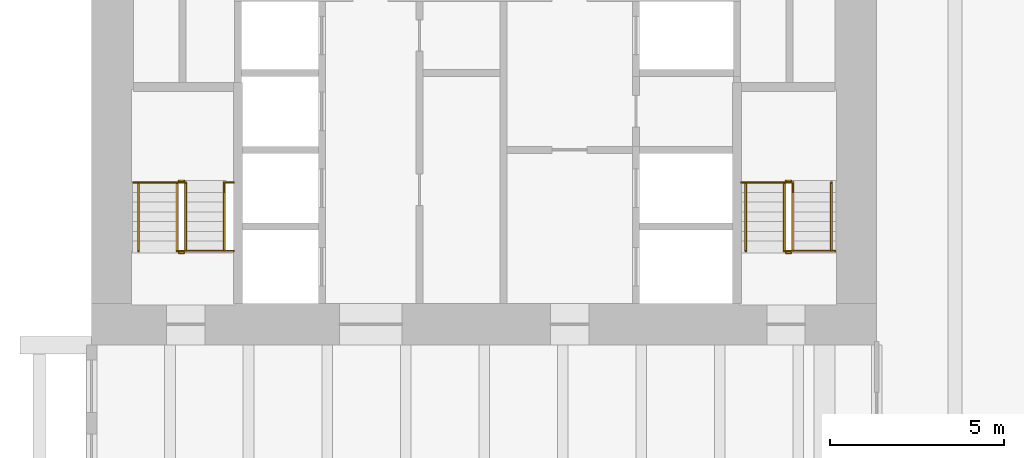
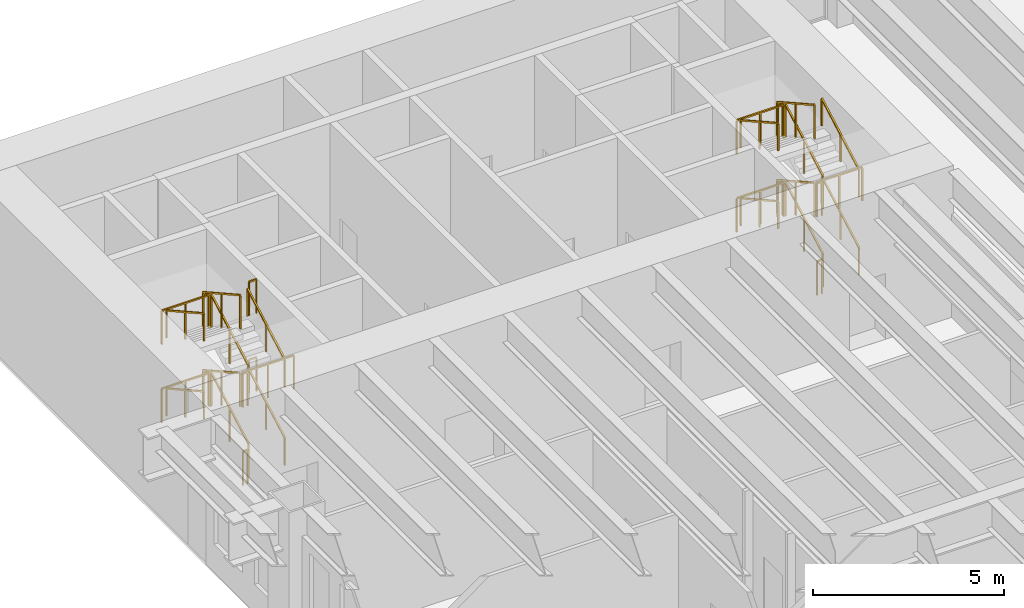
# One storey, part 21 of 21: 32 railings.
"""IFC4 building model written with IfcOpenShell, lengths in metres."""

from ifc_helpers import new_model, si_unit, direction, frame, origin, origin_2d, place, context, subcontext, project, spatial, rectangle, extrude, material, type_object, element, save


model = new_model("IFC4")

# Units and contexts
model_context = context("Model", 3, precision=1e-05, world=origin(), true_north=direction((0.0, 1.0)))
body_context = subcontext(model_context, "Body", "Model", "MODEL_VIEW")
ifc_project = project(units=[si_unit("LENGTHUNIT", "METRE"), si_unit("AREAUNIT", "SQUARE_METRE"), si_unit("VOLUMEUNIT", "CUBIC_METRE"), si_unit("PLANEANGLEUNIT", "RADIAN"), si_unit("MASSUNIT", "GRAM", prefix="KILO")], contexts=[model_context])

# Site, building, storey
site_placement = place(None, origin())
site = spatial("IfcSite", under=ifc_project, at=site_placement, CompositionType="ELEMENT")
building_placement = place(site_placement, origin())
building = spatial("IfcBuilding", under=site, at=building_placement, Name="Sennacour Bend Tower", CompositionType="ELEMENT")
storey_placement = place(building_placement, frame((0.0, 0.0, 24.0)))
storey = spatial("IfcBuildingStorey", under=building, at=storey_placement, Name="L04", CompositionType="ELEMENT", Elevation=24.0)

# Railings
ifc_material = material(Name="Stainless steel", Category="steel")
railing_type_1 = type_object("IfcRailingType", Name="RL-GUARD-1100", PredefinedType="GUARDRAIL", material=ifc_material)
railing_1_placement = place(storey_placement, frame((2.699951171875, 38.699951171875, 0.15625)))
element("IfcRailing", 1, at=railing_1_placement, inside=storey, type_object=railing_type_1, Name="L04 SB1 stair guard 1", PredefinedType="GUARDRAIL", context=body_context, shape_type="SweptSolid", body=[
    extrude(rectangle(XDim=0.048095703125, YDim=0.048095703125, at=origin_2d()), frame((0.0, 0.0, 1.076171875), z_axis=(0.0, 0.873232148454, 0.487304437602), x_axis=(-1.0, 0.0, 0.0)), (0.0, 0.0, 1.0), 2.244384765625),
    extrude(rectangle(XDim=0.0419921875, YDim=0.0419921875, at=origin_2d()), origin(), (0.0, 0.0, 1.0), 1.052001953125),
    extrude(rectangle(XDim=0.0419921875, YDim=0.0419921875, at=origin_2d()), frame((0.0, 0.97998046875, 0.546875)), (0.0, 0.0, 1.0), 1.052001953125),
    extrude(rectangle(XDim=0.0419921875, YDim=0.0419921875, at=origin_2d()), frame((0.0, 1.9599609375, 1.09375)), (0.0, 0.0, 1.0), 1.052001953125),
])
railing_2_placement = place(storey_placement, frame((2.64990234375, 40.7099609375, 1.25)))
element("IfcRailing", 2, at=railing_2_placement, inside=storey, type_object=railing_type_1, Name="L04 SB1 stair guard 2", PredefinedType="GUARDRAIL", context=body_context, shape_type="SweptSolid", body=[
    extrude(rectangle(XDim=0.048095703125, YDim=0.048095703125, at=origin_2d()), frame((0.0, 0.0, 1.076171875), z_axis=(-1.0, 0.0, 0.0), x_axis=(0.0, -1.0, 0.0)), (0.0, 0.0, 1.0), 0.14990234375),
    extrude(rectangle(XDim=0.0419921875, YDim=0.0419921875, at=origin_2d()), origin(), (0.0, 0.0, 1.0), 1.052001953125),
    extrude(rectangle(XDim=0.0419921875, YDim=0.0419921875, at=origin_2d()), frame((-0.14990234375, 0.0, 0.0)), (0.0, 0.0, 1.0), 1.052001953125),
])
railing_3_placement = place(storey_placement, frame((2.449951171875, 40.659912109375, 1.40625)))
element("IfcRailing", 3, at=railing_3_placement, inside=storey, type_object=railing_type_1, Name="L04 SB1 stair guard 4", PredefinedType="GUARDRAIL", context=body_context, shape_type="SweptSolid", body=[
    extrude(rectangle(XDim=0.048095703125, YDim=0.048095703125, at=origin_2d()), frame((0.0, 0.0, 1.076171875), z_axis=(0.0, -0.873232148454, 0.487304437602), x_axis=(1.0, 0.0, 0.0)), (0.0, 0.0, 1.0), 2.244384765625),
    extrude(rectangle(XDim=0.0419921875, YDim=0.0419921875, at=origin_2d()), origin(), (0.0, 0.0, 1.0), 1.052001953125),
    extrude(rectangle(XDim=0.0419921875, YDim=0.0419921875, at=origin_2d()), frame((0.0, -0.97998046875, 0.546875)), (0.0, 0.0, 1.0), 1.052001953125),
    extrude(rectangle(XDim=0.0419921875, YDim=0.0419921875, at=origin_2d()), frame((0.0, -1.9599609375, 1.09375)), (0.0, 0.0, 1.0), 1.052001953125),
])
railing_4_placement = place(storey_placement, frame((2.64990234375, 38.64990234375, 2.5)))
element("IfcRailing", 4, at=railing_4_placement, inside=storey, type_object=railing_type_1, Name="L04 SB1 stair guard 5", PredefinedType="GUARDRAIL", context=body_context, shape_type="SweptSolid", body=[
    extrude(rectangle(XDim=0.048095703125, YDim=0.048095703125, at=origin_2d()), frame((0.0, 0.0, 1.076171875), z_axis=(-1.0, 0.0, 0.0), x_axis=(0.0, -1.0, 0.0)), (0.0, 0.0, 1.0), 0.14990234375),
    extrude(rectangle(XDim=0.0419921875, YDim=0.0419921875, at=origin_2d()), origin(), (0.0, 0.0, 1.0), 1.052001953125),
    extrude(rectangle(XDim=0.0419921875, YDim=0.0419921875, at=origin_2d()), frame((-0.14990234375, 0.0, 0.0)), (0.0, 0.0, 1.0), 1.052001953125),
])
railing_5_placement = place(storey_placement, frame((2.699951171875, 38.699951171875, 2.65625)))
element("IfcRailing", 5, at=railing_5_placement, inside=storey, type_object=railing_type_1, Name="L04 SB1 stair guard 8", PredefinedType="GUARDRAIL", context=body_context, shape_type="SweptSolid", body=[
    extrude(rectangle(XDim=0.048095703125, YDim=0.048095703125, at=origin_2d()), frame((0.0, 0.0, 1.076171875), z_axis=(0.0, 0.873232148454, 0.487304437602), x_axis=(-1.0, 0.0, 0.0)), (0.0, 0.0, 1.0), 2.244384765625),
    extrude(rectangle(XDim=0.0419921875, YDim=0.0419921875, at=origin_2d()), origin(), (0.0, 0.0, 1.0), 1.052001953125),
    extrude(rectangle(XDim=0.0419921875, YDim=0.0419921875, at=origin_2d()), frame((0.0, 0.97998046875, 0.546875)), (0.0, 0.0, 1.0), 1.052001953125),
    extrude(rectangle(XDim=0.0419921875, YDim=0.0419921875, at=origin_2d()), frame((0.0, 1.9599609375, 1.09375)), (0.0, 0.0, 1.0), 1.052001953125),
])
railing_6_placement = place(storey_placement, frame((2.64990234375, 40.7099609375, 3.75)))
element("IfcRailing", 6, at=railing_6_placement, inside=storey, type_object=railing_type_1, Name="L04 SB1 stair guard 9", PredefinedType="GUARDRAIL", context=body_context, shape_type="SweptSolid", body=[
    extrude(rectangle(XDim=0.048095703125, YDim=0.048095703125, at=origin_2d()), frame((0.0, 0.0, 1.076171875), z_axis=(-1.0, 0.0, 0.0), x_axis=(0.0, -1.0, 0.0)), (0.0, 0.0, 1.0), 0.14990234375),
    extrude(rectangle(XDim=0.0419921875, YDim=0.0419921875, at=origin_2d()), origin(), (0.0, 0.0, 1.0), 1.052001953125),
    extrude(rectangle(XDim=0.0419921875, YDim=0.0419921875, at=origin_2d()), frame((-0.14990234375, 0.0, 0.0)), (0.0, 0.0, 1.0), 1.052001953125),
])
railing_7_placement = place(storey_placement, frame((2.449951171875, 40.659912109375, 3.90625)))
element("IfcRailing", 7, at=railing_7_placement, inside=storey, type_object=railing_type_1, Name="L04 SB1 stair guard 11", PredefinedType="GUARDRAIL", context=body_context, shape_type="SweptSolid", body=[
    extrude(rectangle(XDim=0.048095703125, YDim=0.048095703125, at=origin_2d()), frame((0.0, 0.0, 1.076171875), z_axis=(0.0, -0.873232148454, 0.487304437602), x_axis=(1.0, 0.0, 0.0)), (0.0, 0.0, 1.0), 2.244384765625),
    extrude(rectangle(XDim=0.0419921875, YDim=0.0419921875, at=origin_2d()), origin(), (0.0, 0.0, 1.0), 1.052001953125),
    extrude(rectangle(XDim=0.0419921875, YDim=0.0419921875, at=origin_2d()), frame((0.0, -0.97998046875, 0.546875)), (0.0, 0.0, 1.0), 1.052001953125),
    extrude(rectangle(XDim=0.0419921875, YDim=0.0419921875, at=origin_2d()), frame((0.0, -1.9599609375, 1.09375)), (0.0, 0.0, 1.0), 1.052001953125),
])
railing_8_placement = place(storey_placement, frame((2.64990234375, 38.64990234375, 0.0)))
element("IfcRailing", 8, at=railing_8_placement, inside=storey, type_object=railing_type_1, Name="L04 SB1 stair guard 12", PredefinedType="GUARDRAIL", context=body_context, shape_type="SweptSolid", body=[
    extrude(rectangle(XDim=0.048095703125, YDim=0.048095703125, at=origin_2d()), frame((0.0, 0.0, 1.076171875), z_axis=(-1.0, 0.0, 0.0), x_axis=(0.0, -1.0, 0.0)), (0.0, 0.0, 1.0), 0.14990234375),
    extrude(rectangle(XDim=0.0419921875, YDim=0.0419921875, at=origin_2d()), origin(), (0.0, 0.0, 1.0), 1.052001953125),
    extrude(rectangle(XDim=0.0419921875, YDim=0.0419921875, at=origin_2d()), frame((-0.14990234375, 0.0, 0.0)), (0.0, 0.0, 1.0), 1.052001953125),
])
railing_9_placement = place(storey_placement, frame((4.074951171875, 40.659912109375, 1.25)))
element("IfcRailing", 9, at=railing_9_placement, inside=storey, type_object=railing_type_1, Name="L04 SB1 landing edge guard 19", PredefinedType="GUARDRAIL", context=body_context, shape_type="SweptSolid", body=[
    extrude(rectangle(XDim=0.048095703125, YDim=0.048095703125, at=origin_2d()), frame((0.0, 0.0, 1.076171875), z_axis=(-1.0, 0.0, 0.0), x_axis=(0.0, -1.0, 0.0)), (0.0, 0.0, 1.0), 0.224853515625),
    extrude(rectangle(XDim=0.0419921875, YDim=0.0419921875, at=origin_2d()), origin(), (0.0, 0.0, 1.0), 1.052001953125),
    extrude(rectangle(XDim=0.0419921875, YDim=0.0419921875, at=origin_2d()), frame((-0.224853515625, 0.0, 0.0)), (0.0, 0.0, 1.0), 1.052001953125),
])
railing_10_placement = place(storey_placement, frame((2.64990234375, 40.659912109375, 1.25)))
element("IfcRailing", 10, at=railing_10_placement, inside=storey, type_object=railing_type_1, Name="L04 SB1 landing edge guard 20", PredefinedType="GUARDRAIL", context=body_context, shape_type="SweptSolid", body=[
    extrude(rectangle(XDim=0.048095703125, YDim=0.048095703125, at=origin_2d()), frame((0.0, 0.0, 1.076171875), z_axis=(-1.0, 0.0, 0.0), x_axis=(0.0, -1.0, 0.0)), (0.0, 0.0, 1.0), 1.449951171875),
    extrude(rectangle(XDim=0.0419921875, YDim=0.0419921875, at=origin_2d()), origin(), (0.0, 0.0, 1.0), 1.052001953125),
    extrude(rectangle(XDim=0.0419921875, YDim=0.0419921875, at=origin_2d()), frame((-0.72509765625, 0.0, 0.0)), (0.0, 0.0, 1.0), 1.052001953125),
    extrude(rectangle(XDim=0.0419921875, YDim=0.0419921875, at=origin_2d()), frame((-1.449951171875, 0.0, 0.0)), (0.0, 0.0, 1.0), 1.052001953125),
])
railing_11_placement = place(storey_placement, frame((2.5, 38.699951171875, 2.5)))
element("IfcRailing", 11, at=railing_11_placement, inside=storey, type_object=railing_type_1, Name="L04 SB1 landing edge guard 21", PredefinedType="GUARDRAIL", context=body_context, shape_type="SweptSolid", body=[
    extrude(rectangle(XDim=0.048095703125, YDim=0.048095703125, at=origin_2d()), frame((0.0, 0.0, 1.076171875), z_axis=(1.0, 0.0, 0.0), x_axis=(0.0, 1.0, 0.0)), (0.0, 0.0, 1.0), 1.574951171875),
    extrude(rectangle(XDim=0.0419921875, YDim=0.0419921875, at=origin_2d()), origin(), (0.0, 0.0, 1.0), 1.052001953125),
    extrude(rectangle(XDim=0.0419921875, YDim=0.0419921875, at=origin_2d()), frame((0.78759765625, 0.0, 0.0)), (0.0, 0.0, 1.0), 1.052001953125),
    extrude(rectangle(XDim=0.0419921875, YDim=0.0419921875, at=origin_2d()), frame((1.574951171875, 0.0, 0.0)), (0.0, 0.0, 1.0), 1.052001953125),
])
railing_12_placement = place(storey_placement, frame((4.074951171875, 40.659912109375, 3.75)))
element("IfcRailing", 12, at=railing_12_placement, inside=storey, type_object=railing_type_1, Name="L04 SB1 landing edge guard 22", PredefinedType="GUARDRAIL", context=body_context, shape_type="SweptSolid", body=[
    extrude(rectangle(XDim=0.048095703125, YDim=0.048095703125, at=origin_2d()), frame((0.0, 0.0, 1.076171875), z_axis=(-1.0, 0.0, 0.0), x_axis=(0.0, -1.0, 0.0)), (0.0, 0.0, 1.0), 0.224853515625),
    extrude(rectangle(XDim=0.0419921875, YDim=0.0419921875, at=origin_2d()), origin(), (0.0, 0.0, 1.0), 1.052001953125),
    extrude(rectangle(XDim=0.0419921875, YDim=0.0419921875, at=origin_2d()), frame((-0.224853515625, 0.0, 0.0)), (0.0, 0.0, 1.0), 1.052001953125),
])
railing_13_placement = place(storey_placement, frame((2.64990234375, 40.659912109375, 3.75)))
element("IfcRailing", 13, at=railing_13_placement, inside=storey, type_object=railing_type_1, Name="L04 SB1 landing edge guard 23", PredefinedType="GUARDRAIL", context=body_context, shape_type="SweptSolid", body=[
    extrude(rectangle(XDim=0.048095703125, YDim=0.048095703125, at=origin_2d()), frame((0.0, 0.0, 1.076171875), z_axis=(-1.0, 0.0, 0.0), x_axis=(0.0, -1.0, 0.0)), (0.0, 0.0, 1.0), 1.449951171875),
    extrude(rectangle(XDim=0.0419921875, YDim=0.0419921875, at=origin_2d()), origin(), (0.0, 0.0, 1.0), 1.052001953125),
    extrude(rectangle(XDim=0.0419921875, YDim=0.0419921875, at=origin_2d()), frame((-0.72509765625, 0.0, 0.0)), (0.0, 0.0, 1.0), 1.052001953125),
    extrude(rectangle(XDim=0.0419921875, YDim=0.0419921875, at=origin_2d()), frame((-1.449951171875, 0.0, 0.0)), (0.0, 0.0, 1.0), 1.052001953125),
])
railing_14_placement = place(storey_placement, frame((20.10009765625, 38.699951171875, 0.15625)))
element("IfcRailing", 14, at=railing_14_placement, inside=storey, type_object=railing_type_1, Name="L04 SB2 stair guard 1", PredefinedType="GUARDRAIL", context=body_context, shape_type="SweptSolid", body=[
    extrude(rectangle(XDim=0.048095703125, YDim=0.048095703125, at=origin_2d()), frame((0.0, 0.0, 1.076171875), z_axis=(0.0, 0.873232148454, 0.487304437602), x_axis=(-1.0, 0.0, 0.0)), (0.0, 0.0, 1.0), 2.244384765625),
    extrude(rectangle(XDim=0.0419921875, YDim=0.0419921875, at=origin_2d()), origin(), (0.0, 0.0, 1.0), 1.052001953125),
    extrude(rectangle(XDim=0.0419921875, YDim=0.0419921875, at=origin_2d()), frame((0.0, 0.97998046875, 0.546875)), (0.0, 0.0, 1.0), 1.052001953125),
    extrude(rectangle(XDim=0.0419921875, YDim=0.0419921875, at=origin_2d()), frame((0.0, 1.9599609375, 1.09375)), (0.0, 0.0, 1.0), 1.052001953125),
])
railing_15_placement = place(storey_placement, frame((20.050048828125, 40.7099609375, 1.25)))
element("IfcRailing", 15, at=railing_15_placement, inside=storey, type_object=railing_type_1, Name="L04 SB2 stair guard 2", PredefinedType="GUARDRAIL", context=body_context, shape_type="SweptSolid", body=[
    extrude(rectangle(XDim=0.048095703125, YDim=0.048095703125, at=origin_2d()), frame((0.0, 0.0, 1.076171875), z_axis=(-1.0, 0.0, 0.0), x_axis=(0.0, -1.0, 0.0)), (0.0, 0.0, 1.0), 0.150146484375),
    extrude(rectangle(XDim=0.0419921875, YDim=0.0419921875, at=origin_2d()), origin(), (0.0, 0.0, 1.0), 1.052001953125),
    extrude(rectangle(XDim=0.0419921875, YDim=0.0419921875, at=origin_2d()), frame((-0.150146484375, 0.0, 0.0)), (0.0, 0.0, 1.0), 1.052001953125),
])
railing_16_placement = place(storey_placement, frame((19.85009765625, 40.659912109375, 1.40625)))
element("IfcRailing", 16, at=railing_16_placement, inside=storey, type_object=railing_type_1, Name="L04 SB2 stair guard 4", PredefinedType="GUARDRAIL", context=body_context, shape_type="SweptSolid", body=[
    extrude(rectangle(XDim=0.048095703125, YDim=0.048095703125, at=origin_2d()), frame((0.0, 0.0, 1.076171875), z_axis=(0.0, -0.873232148454, 0.487304437602), x_axis=(1.0, 0.0, 0.0)), (0.0, 0.0, 1.0), 2.244384765625),
    extrude(rectangle(XDim=0.0419921875, YDim=0.0419921875, at=origin_2d()), origin(), (0.0, 0.0, 1.0), 1.052001953125),
    extrude(rectangle(XDim=0.0419921875, YDim=0.0419921875, at=origin_2d()), frame((0.0, -0.97998046875, 0.546875)), (0.0, 0.0, 1.0), 1.052001953125),
    extrude(rectangle(XDim=0.0419921875, YDim=0.0419921875, at=origin_2d()), frame((0.0, -1.9599609375, 1.09375)), (0.0, 0.0, 1.0), 1.052001953125),
])
railing_17_placement = place(storey_placement, frame((20.050048828125, 38.64990234375, 2.5)))
element("IfcRailing", 17, at=railing_17_placement, inside=storey, type_object=railing_type_1, Name="L04 SB2 stair guard 5", PredefinedType="GUARDRAIL", context=body_context, shape_type="SweptSolid", body=[
    extrude(rectangle(XDim=0.048095703125, YDim=0.048095703125, at=origin_2d()), frame((0.0, 0.0, 1.076171875), z_axis=(-1.0, 0.0, 0.0), x_axis=(0.0, -1.0, 0.0)), (0.0, 0.0, 1.0), 0.150146484375),
    extrude(rectangle(XDim=0.0419921875, YDim=0.0419921875, at=origin_2d()), origin(), (0.0, 0.0, 1.0), 1.052001953125),
    extrude(rectangle(XDim=0.0419921875, YDim=0.0419921875, at=origin_2d()), frame((-0.150146484375, 0.0, 0.0)), (0.0, 0.0, 1.0), 1.052001953125),
])
railing_18_placement = place(storey_placement, frame((20.10009765625, 38.699951171875, 2.65625)))
element("IfcRailing", 18, at=railing_18_placement, inside=storey, type_object=railing_type_1, Name="L04 SB2 stair guard 8", PredefinedType="GUARDRAIL", context=body_context, shape_type="SweptSolid", body=[
    extrude(rectangle(XDim=0.048095703125, YDim=0.048095703125, at=origin_2d()), frame((0.0, 0.0, 1.076171875), z_axis=(0.0, 0.873232148454, 0.487304437602), x_axis=(-1.0, 0.0, 0.0)), (0.0, 0.0, 1.0), 2.244384765625),
    extrude(rectangle(XDim=0.0419921875, YDim=0.0419921875, at=origin_2d()), origin(), (0.0, 0.0, 1.0), 1.052001953125),
    extrude(rectangle(XDim=0.0419921875, YDim=0.0419921875, at=origin_2d()), frame((0.0, 0.97998046875, 0.546875)), (0.0, 0.0, 1.0), 1.052001953125),
    extrude(rectangle(XDim=0.0419921875, YDim=0.0419921875, at=origin_2d()), frame((0.0, 1.9599609375, 1.09375)), (0.0, 0.0, 1.0), 1.052001953125),
])
railing_19_placement = place(storey_placement, frame((20.050048828125, 40.7099609375, 3.75)))
element("IfcRailing", 19, at=railing_19_placement, inside=storey, type_object=railing_type_1, Name="L04 SB2 stair guard 9", PredefinedType="GUARDRAIL", context=body_context, shape_type="SweptSolid", body=[
    extrude(rectangle(XDim=0.048095703125, YDim=0.048095703125, at=origin_2d()), frame((0.0, 0.0, 1.076171875), z_axis=(-1.0, 0.0, 0.0), x_axis=(0.0, -1.0, 0.0)), (0.0, 0.0, 1.0), 0.150146484375),
    extrude(rectangle(XDim=0.0419921875, YDim=0.0419921875, at=origin_2d()), origin(), (0.0, 0.0, 1.0), 1.052001953125),
    extrude(rectangle(XDim=0.0419921875, YDim=0.0419921875, at=origin_2d()), frame((-0.150146484375, 0.0, 0.0)), (0.0, 0.0, 1.0), 1.052001953125),
])
railing_20_placement = place(storey_placement, frame((19.85009765625, 40.659912109375, 3.90625)))
element("IfcRailing", 20, at=railing_20_placement, inside=storey, type_object=railing_type_1, Name="L04 SB2 stair guard 11", PredefinedType="GUARDRAIL", context=body_context, shape_type="SweptSolid", body=[
    extrude(rectangle(XDim=0.048095703125, YDim=0.048095703125, at=origin_2d()), frame((0.0, 0.0, 1.076171875), z_axis=(0.0, -0.873232148454, 0.487304437602), x_axis=(1.0, 0.0, 0.0)), (0.0, 0.0, 1.0), 2.244384765625),
    extrude(rectangle(XDim=0.0419921875, YDim=0.0419921875, at=origin_2d()), origin(), (0.0, 0.0, 1.0), 1.052001953125),
    extrude(rectangle(XDim=0.0419921875, YDim=0.0419921875, at=origin_2d()), frame((0.0, -0.97998046875, 0.546875)), (0.0, 0.0, 1.0), 1.052001953125),
    extrude(rectangle(XDim=0.0419921875, YDim=0.0419921875, at=origin_2d()), frame((0.0, -1.9599609375, 1.09375)), (0.0, 0.0, 1.0), 1.052001953125),
])
railing_21_placement = place(storey_placement, frame((20.050048828125, 38.64990234375, 0.0)))
element("IfcRailing", 21, at=railing_21_placement, inside=storey, type_object=railing_type_1, Name="L04 SB2 stair guard 12", PredefinedType="GUARDRAIL", context=body_context, shape_type="SweptSolid", body=[
    extrude(rectangle(XDim=0.048095703125, YDim=0.048095703125, at=origin_2d()), frame((0.0, 0.0, 1.076171875), z_axis=(-1.0, 0.0, 0.0), x_axis=(0.0, -1.0, 0.0)), (0.0, 0.0, 1.0), 0.150146484375),
    extrude(rectangle(XDim=0.0419921875, YDim=0.0419921875, at=origin_2d()), origin(), (0.0, 0.0, 1.0), 1.052001953125),
    extrude(rectangle(XDim=0.0419921875, YDim=0.0419921875, at=origin_2d()), frame((-0.150146484375, 0.0, 0.0)), (0.0, 0.0, 1.0), 1.052001953125),
])
railing_22_placement = place(storey_placement, frame((20.050048828125, 40.659912109375, 1.25)))
element("IfcRailing", 22, at=railing_22_placement, inside=storey, type_object=railing_type_1, Name="L04 SB2 landing edge guard 13", PredefinedType="GUARDRAIL", context=body_context, shape_type="SweptSolid", body=[
    extrude(rectangle(XDim=0.048095703125, YDim=0.048095703125, at=origin_2d()), frame((0.0, 0.0, 1.076171875), z_axis=(-1.0, 0.0, 0.0), x_axis=(0.0, -1.0, 0.0)), (0.0, 0.0, 1.0), 1.425048828125),
    extrude(rectangle(XDim=0.0419921875, YDim=0.0419921875, at=origin_2d()), origin(), (0.0, 0.0, 1.0), 1.052001953125),
    extrude(rectangle(XDim=0.0419921875, YDim=0.0419921875, at=origin_2d()), frame((-0.71240234375, 0.0, 0.0)), (0.0, 0.0, 1.0), 1.052001953125),
    extrude(rectangle(XDim=0.0419921875, YDim=0.0419921875, at=origin_2d()), frame((-1.425048828125, 0.0, 0.0)), (0.0, 0.0, 1.0), 1.052001953125),
])
railing_23_placement = place(storey_placement, frame((19.89990234375, 38.699951171875, 2.5)))
element("IfcRailing", 23, at=railing_23_placement, inside=storey, type_object=railing_type_1, Name="L04 SB2 landing edge guard 14", PredefinedType="GUARDRAIL", context=body_context, shape_type="SweptSolid", body=[
    extrude(rectangle(XDim=0.048095703125, YDim=0.048095703125, at=origin_2d()), frame((0.0, 0.0, 1.076171875), z_axis=(1.0, 0.0, 0.0), x_axis=(0.0, 1.0, 0.0)), (0.0, 0.0, 1.0), 1.400146484375),
    extrude(rectangle(XDim=0.0419921875, YDim=0.0419921875, at=origin_2d()), origin(), (0.0, 0.0, 1.0), 1.052001953125),
    extrude(rectangle(XDim=0.0419921875, YDim=0.0419921875, at=origin_2d()), frame((0.7001953125, 0.0, 0.0)), (0.0, 0.0, 1.0), 1.052001953125),
    extrude(rectangle(XDim=0.0419921875, YDim=0.0419921875, at=origin_2d()), frame((1.400146484375, 0.0, 0.0)), (0.0, 0.0, 1.0), 1.052001953125),
])
railing_24_placement = place(storey_placement, frame((20.050048828125, 40.659912109375, 3.75)))
element("IfcRailing", 24, at=railing_24_placement, inside=storey, type_object=railing_type_1, Name="L04 SB2 landing edge guard 15", PredefinedType="GUARDRAIL", context=body_context, shape_type="SweptSolid", body=[
    extrude(rectangle(XDim=0.048095703125, YDim=0.048095703125, at=origin_2d()), frame((0.0, 0.0, 1.076171875), z_axis=(-1.0, 0.0, 0.0), x_axis=(0.0, -1.0, 0.0)), (0.0, 0.0, 1.0), 1.425048828125),
    extrude(rectangle(XDim=0.0419921875, YDim=0.0419921875, at=origin_2d()), origin(), (0.0, 0.0, 1.0), 1.052001953125),
    extrude(rectangle(XDim=0.0419921875, YDim=0.0419921875, at=origin_2d()), frame((-0.71240234375, 0.0, 0.0)), (0.0, 0.0, 1.0), 1.052001953125),
    extrude(rectangle(XDim=0.0419921875, YDim=0.0419921875, at=origin_2d()), frame((-1.425048828125, 0.0, 0.0)), (0.0, 0.0, 1.0), 1.052001953125),
])
railing_type_2 = type_object("IfcRailingType", Name="RL-HANDRAIL-900", PredefinedType="HANDRAIL", material=ifc_material)
railing_25_placement = place(storey_placement, frame((3.800048828125, 38.699951171875, 0.15625)))
element("IfcRailing", 25, at=railing_25_placement, inside=storey, type_object=railing_type_2, Name="L04 SB1 stair handrail 1", PredefinedType="HANDRAIL", context=body_context, shape_type="SweptSolid", body=[
    extrude(rectangle(XDim=0.048095703125, YDim=0.048095703125, at=origin_2d()), frame((0.0, 0.0, 0.8759765625), z_axis=(0.0, 0.873232148454, 0.487304437602), x_axis=(-1.0, 0.0, 0.0)), (0.0, 0.0, 1.0), 2.244384765625),
    extrude(rectangle(XDim=0.0419921875, YDim=0.0419921875, at=origin_2d()), origin(), (0.0, 0.0, 1.0), 0.851806640625),
    extrude(rectangle(XDim=0.0419921875, YDim=0.0419921875, at=origin_2d()), frame((0.0, 0.97998046875, 0.546875)), (0.0, 0.0, 1.0), 0.851806640625),
    extrude(rectangle(XDim=0.0419921875, YDim=0.0419921875, at=origin_2d()), frame((0.0, 1.9599609375, 1.09375)), (0.0, 0.0, 1.0), 0.851806640625),
])
railing_26_placement = place(storey_placement, frame((1.35009765625, 40.659912109375, 1.40625)))
element("IfcRailing", 26, at=railing_26_placement, inside=storey, type_object=railing_type_2, Name="L04 SB1 stair handrail 2", PredefinedType="HANDRAIL", context=body_context, shape_type="SweptSolid", body=[
    extrude(rectangle(XDim=0.048095703125, YDim=0.048095703125, at=origin_2d()), frame((0.0, 0.0, 0.8759765625), z_axis=(0.0, -0.873232148454, 0.487304437602), x_axis=(1.0, 0.0, 0.0)), (0.0, 0.0, 1.0), 2.244384765625),
    extrude(rectangle(XDim=0.0419921875, YDim=0.0419921875, at=origin_2d()), origin(), (0.0, 0.0, 1.0), 0.851806640625),
    extrude(rectangle(XDim=0.0419921875, YDim=0.0419921875, at=origin_2d()), frame((0.0, -0.97998046875, 0.546875)), (0.0, 0.0, 1.0), 0.851806640625),
    extrude(rectangle(XDim=0.0419921875, YDim=0.0419921875, at=origin_2d()), frame((0.0, -1.9599609375, 1.09375)), (0.0, 0.0, 1.0), 0.851806640625),
])
railing_27_placement = place(storey_placement, frame((3.800048828125, 38.699951171875, 2.65625)))
element("IfcRailing", 27, at=railing_27_placement, inside=storey, type_object=railing_type_2, Name="L04 SB1 stair handrail 3", PredefinedType="HANDRAIL", context=body_context, shape_type="SweptSolid", body=[
    extrude(rectangle(XDim=0.048095703125, YDim=0.048095703125, at=origin_2d()), frame((0.0, 0.0, 0.8759765625), z_axis=(0.0, 0.873232148454, 0.487304437602), x_axis=(-1.0, 0.0, 0.0)), (0.0, 0.0, 1.0), 2.244384765625),
    extrude(rectangle(XDim=0.0419921875, YDim=0.0419921875, at=origin_2d()), origin(), (0.0, 0.0, 1.0), 0.851806640625),
    extrude(rectangle(XDim=0.0419921875, YDim=0.0419921875, at=origin_2d()), frame((0.0, 0.97998046875, 0.546875)), (0.0, 0.0, 1.0), 0.851806640625),
    extrude(rectangle(XDim=0.0419921875, YDim=0.0419921875, at=origin_2d()), frame((0.0, 1.9599609375, 1.09375)), (0.0, 0.0, 1.0), 0.851806640625),
])
railing_28_placement = place(storey_placement, frame((1.35009765625, 40.659912109375, 3.90625)))
element("IfcRailing", 28, at=railing_28_placement, inside=storey, type_object=railing_type_2, Name="L04 SB1 stair handrail 4", PredefinedType="HANDRAIL", context=body_context, shape_type="SweptSolid", body=[
    extrude(rectangle(XDim=0.048095703125, YDim=0.048095703125, at=origin_2d()), frame((0.0, 0.0, 0.8759765625), z_axis=(0.0, -0.873232148454, 0.487304437602), x_axis=(1.0, 0.0, 0.0)), (0.0, 0.0, 1.0), 2.244384765625),
    extrude(rectangle(XDim=0.0419921875, YDim=0.0419921875, at=origin_2d()), origin(), (0.0, 0.0, 1.0), 0.851806640625),
    extrude(rectangle(XDim=0.0419921875, YDim=0.0419921875, at=origin_2d()), frame((0.0, -0.97998046875, 0.546875)), (0.0, 0.0, 1.0), 0.851806640625),
    extrude(rectangle(XDim=0.0419921875, YDim=0.0419921875, at=origin_2d()), frame((0.0, -1.9599609375, 1.09375)), (0.0, 0.0, 1.0), 0.851806640625),
])
railing_29_placement = place(storey_placement, frame((21.199951171875, 38.699951171875, 0.15625)))
element("IfcRailing", 29, at=railing_29_placement, inside=storey, type_object=railing_type_2, Name="L04 SB2 stair handrail 1", PredefinedType="HANDRAIL", context=body_context, shape_type="SweptSolid", body=[
    extrude(rectangle(XDim=0.048095703125, YDim=0.048095703125, at=origin_2d()), frame((0.0, 0.0, 0.8759765625), z_axis=(0.0, 0.873232148454, 0.487304437602), x_axis=(-1.0, 0.0, 0.0)), (0.0, 0.0, 1.0), 2.244384765625),
    extrude(rectangle(XDim=0.0419921875, YDim=0.0419921875, at=origin_2d()), origin(), (0.0, 0.0, 1.0), 0.851806640625),
    extrude(rectangle(XDim=0.0419921875, YDim=0.0419921875, at=origin_2d()), frame((0.0, 0.97998046875, 0.546875)), (0.0, 0.0, 1.0), 0.851806640625),
    extrude(rectangle(XDim=0.0419921875, YDim=0.0419921875, at=origin_2d()), frame((0.0, 1.9599609375, 1.09375)), (0.0, 0.0, 1.0), 0.851806640625),
])
railing_30_placement = place(storey_placement, frame((18.75, 40.659912109375, 1.40625)))
element("IfcRailing", 30, at=railing_30_placement, inside=storey, type_object=railing_type_2, Name="L04 SB2 stair handrail 2", PredefinedType="HANDRAIL", context=body_context, shape_type="SweptSolid", body=[
    extrude(rectangle(XDim=0.048095703125, YDim=0.048095703125, at=origin_2d()), frame((0.0, 0.0, 0.8759765625), z_axis=(0.0, -0.873232148454, 0.487304437602), x_axis=(1.0, 0.0, 0.0)), (0.0, 0.0, 1.0), 2.244384765625),
    extrude(rectangle(XDim=0.0419921875, YDim=0.0419921875, at=origin_2d()), origin(), (0.0, 0.0, 1.0), 0.851806640625),
    extrude(rectangle(XDim=0.0419921875, YDim=0.0419921875, at=origin_2d()), frame((0.0, -0.97998046875, 0.546875)), (0.0, 0.0, 1.0), 0.851806640625),
    extrude(rectangle(XDim=0.0419921875, YDim=0.0419921875, at=origin_2d()), frame((0.0, -1.9599609375, 1.09375)), (0.0, 0.0, 1.0), 0.851806640625),
])
railing_31_placement = place(storey_placement, frame((21.199951171875, 38.699951171875, 2.65625)))
element("IfcRailing", 31, at=railing_31_placement, inside=storey, type_object=railing_type_2, Name="L04 SB2 stair handrail 3", PredefinedType="HANDRAIL", context=body_context, shape_type="SweptSolid", body=[
    extrude(rectangle(XDim=0.048095703125, YDim=0.048095703125, at=origin_2d()), frame((0.0, 0.0, 0.8759765625), z_axis=(0.0, 0.873232148454, 0.487304437602), x_axis=(-1.0, 0.0, 0.0)), (0.0, 0.0, 1.0), 2.244384765625),
    extrude(rectangle(XDim=0.0419921875, YDim=0.0419921875, at=origin_2d()), origin(), (0.0, 0.0, 1.0), 0.851806640625),
    extrude(rectangle(XDim=0.0419921875, YDim=0.0419921875, at=origin_2d()), frame((0.0, 0.97998046875, 0.546875)), (0.0, 0.0, 1.0), 0.851806640625),
    extrude(rectangle(XDim=0.0419921875, YDim=0.0419921875, at=origin_2d()), frame((0.0, 1.9599609375, 1.09375)), (0.0, 0.0, 1.0), 0.851806640625),
])
railing_32_placement = place(storey_placement, frame((18.75, 40.659912109375, 3.90625)))
element("IfcRailing", 32, at=railing_32_placement, inside=storey, type_object=railing_type_2, Name="L04 SB2 stair handrail 4", PredefinedType="HANDRAIL", context=body_context, shape_type="SweptSolid", body=[
    extrude(rectangle(XDim=0.048095703125, YDim=0.048095703125, at=origin_2d()), frame((0.0, 0.0, 0.8759765625), z_axis=(0.0, -0.873232148454, 0.487304437602), x_axis=(1.0, 0.0, 0.0)), (0.0, 0.0, 1.0), 2.244384765625),
    extrude(rectangle(XDim=0.0419921875, YDim=0.0419921875, at=origin_2d()), origin(), (0.0, 0.0, 1.0), 0.851806640625),
    extrude(rectangle(XDim=0.0419921875, YDim=0.0419921875, at=origin_2d()), frame((0.0, -0.97998046875, 0.546875)), (0.0, 0.0, 1.0), 0.851806640625),
    extrude(rectangle(XDim=0.0419921875, YDim=0.0419921875, at=origin_2d()), frame((0.0, -1.9599609375, 1.09375)), (0.0, 0.0, 1.0), 0.851806640625),
])

save(model, "model.ifc")
